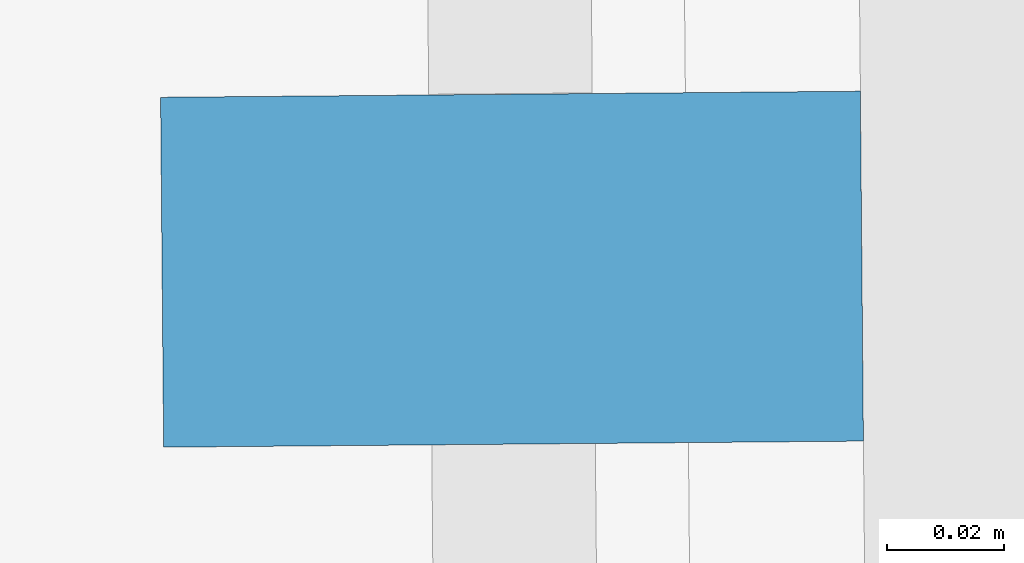
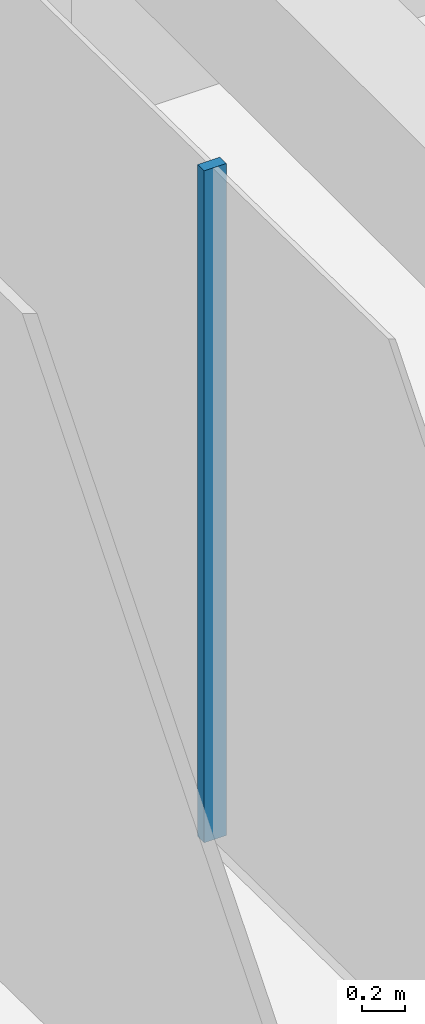
# One storey, part 8 of 18: 1 member, 1 element without a shape of its own.
"""IFC4 building model written with IfcOpenShell, lengths in metres."""

import ifcopenshell
import ifcopenshell.guid

model = None  # the IFC model being written
_history = None  # IfcOwnerHistory: only IFC2X3 demands one
_inside = {}  # id of a spatial element -> (the spatial element, [elements in it])
_under = {}  # id of a project, library or spatial element -> (it, [spatial elements below it])
_declared = {}  # id of a project -> (the project, [libraries it declares])
_typed = {}  # id of a type object -> (the type object, [elements of that type])
_made_of = {}  # id of a material, layer set ... -> (it, [elements and type objects made of it])


def new_model(schema):
    """Start an empty IFC model of exactly this schema.

    Asked for "IFC4X3", IfcOpenShell would pick the latest addendum, in which some entities
    have other attributes; the version numbers below select the first issue.
    IFC2X3 requires an IfcOwnerHistory on every rooted entity: one is made here for all.
    """
    global model, _history
    if schema == "IFC4X3":
        model = ifcopenshell.file(schema_version=(4, 3, 0, 0))
    else:
        model = ifcopenshell.file(schema=schema)
    _inside.clear()
    _under.clear()
    _declared.clear()
    _typed.clear()
    _made_of.clear()
    _history = None
    if model.schema == "IFC2X3":
        org = make("IfcOrganization", Name="unknown")
        user = make(
            "IfcPersonAndOrganization",
            ThePerson=make("IfcPerson", FamilyName="unknown"),
            TheOrganization=org,
        )
        app = make(
            "IfcApplication",
            ApplicationDeveloper=org,
            Version="unknown",
            ApplicationFullName="unknown",
            ApplicationIdentifier="unknown",
        )
        _history = make(
            "IfcOwnerHistory",
            OwningUser=user,
            OwningApplication=app,
            ChangeAction="ADDED",
            CreationDate=0,
        )
    return model


def make(cls, **values):
    """One entity of the class cls with the attributes given. An attribute that is None is left unset."""
    return model.create_entity(
        cls, **{name: value for name, value in values.items() if value is not None}
    )


def rooted(cls, **values):
    """An entity with a GlobalId (a new one), such as an element, a storey or a relation."""
    return make(cls, GlobalId=ifcopenshell.guid.new(), OwnerHistory=_history, **values)


def si_unit(unit_type, name, prefix=None):
    """IfcSIUnit, for example si_unit("LENGTHUNIT", "METRE", prefix="MILLI")."""
    return make("IfcSIUnit", UnitType=unit_type, Prefix=prefix, Name=name)


def assignment(units):
    """IfcUnitAssignment: the units of a project."""
    return None if units is None else make("IfcUnitAssignment", Units=units)


def point(xyz):
    """IfcCartesianPoint."""
    return None if xyz is None else make("IfcCartesianPoint", Coordinates=xyz)


def direction(xyz):
    """IfcDirection."""
    return None if xyz is None else make("IfcDirection", DirectionRatios=xyz)


def frame(location, z_axis=None, x_axis=None):
    """IfcAxis2Placement3D, a coordinate frame: its origin and axes. An axis left out is left unset."""
    return make(
        "IfcAxis2Placement3D",
        Location=point(location),
        Axis=direction(z_axis),
        RefDirection=direction(x_axis),
    )


def frame_2d(location, x_axis=None):
    """IfcAxis2Placement2D, a coordinate frame in the plane: its origin and x axis."""
    return make(
        "IfcAxis2Placement2D", Location=point(location), RefDirection=direction(x_axis)
    )


def origin():
    """The frame at (0, 0, 0) with its axes left unset."""
    return frame((0.0, 0.0, 0.0))


def origin_2d():
    """The frame at (0, 0) in the plane with its x axis left unset."""
    return frame_2d((0.0, 0.0))


def place(relative_to, where):
    """IfcLocalPlacement: puts the frame where relative to a parent placement (None: the world)."""
    return make(
        "IfcLocalPlacement", PlacementRelTo=relative_to, RelativePlacement=where
    )


def context(
    kind, dimensions, precision=None, world=None, true_north=None, identifier=None
):
    """IfcGeometricRepresentationContext, for example the 3D "Model" context."""
    return make(
        "IfcGeometricRepresentationContext",
        ContextIdentifier=identifier,
        ContextType=kind,
        CoordinateSpaceDimension=dimensions,
        Precision=precision,
        WorldCoordinateSystem=world,
        TrueNorth=true_north,
    )


def subcontext(parent, identifier, kind, view, scale=None):
    """IfcGeometricRepresentationSubContext, for example "Body" below "Model"."""
    return make(
        "IfcGeometricRepresentationSubContext",
        ContextIdentifier=identifier,
        ContextType=kind,
        ParentContext=parent,
        TargetScale=scale,
        TargetView=view,
    )


def project(units=None, contexts=None):
    """IfcProject with its units and contexts."""
    return rooted(
        "IfcProject",
        Name="project",
        RepresentationContexts=contexts,
        UnitsInContext=assignment(units),
    )


def spatial(cls, under=None, at=None, **own):
    """A site, building, storey or space (cls), placed at a placement, below another one or the project."""
    s = rooted(cls, ObjectPlacement=at, **own)
    if under is not None:
        _under.setdefault(under.id(), (under, []))[1].append(s)
    return s


def profile(cls, at=None, kind="AREA", **sizes):
    """A parametric profile (cls). Its sizes go by their IFC names, for example OverallWidth=200.0."""
    return make(cls, ProfileType=kind, Position=at, **sizes)


def rectangle(**sizes):
    """IfcRectangleProfileDef."""
    return profile("IfcRectangleProfileDef", **sizes)


def extrude(swept, where, along, depth):
    """IfcExtrudedAreaSolid: the profile swept, set in the frame where, extruded along a direction by depth."""
    return make(
        "IfcExtrudedAreaSolid",
        SweptArea=swept,
        Position=where,
        ExtrudedDirection=direction(along),
        Depth=depth,
    )


def shape(context_of_items, identifier, shape_type, items):
    """IfcShapeRepresentation: the items that make up one representation, for example the "Body"."""
    return make(
        "IfcShapeRepresentation",
        ContextOfItems=context_of_items,
        RepresentationIdentifier=identifier,
        RepresentationType=shape_type,
        Items=items,
    )


def material(Name=None, Category=None):
    """IfcMaterial."""
    return make("IfcMaterial", Name=Name, Category=Category)


def layer(
    of_material, thickness, ventilated=None, Name=None, Category=None, Priority=None
):
    """IfcMaterialLayer: one layer of a wall or slab, of a material (None: an air gap)."""
    return make(
        "IfcMaterialLayer",
        Material=of_material,
        LayerThickness=thickness,
        IsVentilated=ventilated,
        Name=Name,
        Category=Category,
        Priority=Priority,
    )


def layer_set(layers, Name=None):
    """IfcMaterialLayerSet."""
    return make("IfcMaterialLayerSet", MaterialLayers=layers, LayerSetName=Name)


def material_profile(
    of_material, cross_section, Name=None, Category=None, Priority=None
):
    """IfcMaterialProfile: a cross section and its material."""
    return make(
        "IfcMaterialProfile",
        Name=Name,
        Material=of_material,
        Profile=cross_section,
        Priority=Priority,
        Category=Category,
    )


def profile_set(profiles, Name=None, composite=None):
    """IfcMaterialProfileSet."""
    return make(
        "IfcMaterialProfileSet",
        Name=Name,
        MaterialProfiles=profiles,
        CompositeProfile=composite,
    )


def made_of(thing, what):
    """Note that an element or type object is made of a material, layer set ...; save() writes the relation."""
    if what is not None:
        _made_of.setdefault(what.id(), (what, []))[1].append(thing)
    return thing


def type_object(cls, material=None, **own):
    """A type object (cls), such as IfcWallType, which elements share."""
    return made_of(rooted(cls, **own), material)


def element(
    cls,
    number,
    at=None,
    inside=None,
    cuts=None,
    type_object=None,
    material=None,
    context=None,
    identifier="Body",
    shape_type=None,
    held_by="IfcProductDefinitionShape",
    body=None,
    shapes=None,
    **own,
):
    """One element of the class cls, such as IfcWall. Its Tag is "e" and its number.

    at: its placement. inside: the storey or other place that contains it. cuts: it is an
    opening in that element (IfcRelVoidsElement). A single representation is given by context,
    identifier, shape_type and body (its items); several are given by shapes. held_by: the class
    of the entity that holds the representations. save() writes the other relations.
    """
    e = rooted(cls, Tag="e%d" % number, ObjectPlacement=at, **own)
    if body is not None:
        shapes = [shape(context, identifier, shape_type, body)]
    if shapes is not None:
        e.Representation = make(held_by, Representations=shapes)
    if inside is not None:
        _inside.setdefault(inside.id(), (inside, []))[1].append(e)
    if cuts is not None:
        rooted(
            "IfcRelVoidsElement", RelatingBuildingElement=cuts, RelatedOpeningElement=e
        )
    if type_object is not None:
        _typed.setdefault(type_object.id(), (type_object, []))[1].append(e)
    return made_of(e, material)


def aggregate(whole, parts):
    """IfcRelAggregates: a whole, such as a stair, and the parts it consists of."""
    return rooted("IfcRelAggregates", RelatingObject=whole, RelatedObjects=parts)


def save(model, path):
    """Write the relations noted so far, then the file.

    IfcRelAggregates (storeys below a building ...), IfcRelContainedInSpatialStructure (elements
    in a storey), IfcRelDefinesByType, IfcRelAssociatesMaterial and IfcRelDeclares: one each for
    every whole, place, type object, material and project.
    """
    for whole, parts in _under.values():
        aggregate(whole, parts)
    for where, things in _inside.values():
        rooted(
            "IfcRelContainedInSpatialStructure",
            RelatedElements=things,
            RelatingStructure=where,
        )
    for kind, things in _typed.values():
        rooted("IfcRelDefinesByType", RelatedObjects=things, RelatingType=kind)
    for what, things in _made_of.values():
        rooted("IfcRelAssociatesMaterial", RelatedObjects=things, RelatingMaterial=what)
    for by, libraries in _declared.values():
        rooted("IfcRelDeclares", RelatingContext=by, RelatedDefinitions=libraries)
    model.write(path)


model = new_model("IFC4")

# Units and contexts
model_context = context("Model", 3, precision=1e-05, world=origin(), true_north=direction((0.0, 1.0)))
body_context = subcontext(model_context, "Body", "Model", "MODEL_VIEW")
ifc_project = project(units=[si_unit("LENGTHUNIT", "METRE"), si_unit("AREAUNIT", "SQUARE_METRE"), si_unit("VOLUMEUNIT", "CUBIC_METRE"), si_unit("PLANEANGLEUNIT", "RADIAN"), si_unit("MASSUNIT", "GRAM", prefix="KILO")], contexts=[model_context])

# Site, building, storey
site_placement = place(None, origin())
site = spatial("IfcSite", under=ifc_project, at=site_placement, CompositionType="ELEMENT")
building_placement = place(site_placement, origin())
building = spatial("IfcBuilding", under=site, at=building_placement, Name="Welwitschia Terrace Campus", CompositionType="ELEMENT")
storey_placement = place(building_placement, frame((0.0, 0.0, 289.39990234375)))
storey = spatial("IfcBuildingStorey", under=building, at=storey_placement, Name="L64", CompositionType="ELEMENT", Elevation=289.39990234375)

# Curtain wall, member
ifc_material_1 = material(Name="Bronze anodised aluminium", Category="aluminium")
ifc_layer = layer(ifc_material_1, 0.1201171875)
ifc_layer_set = layer_set([ifc_layer], Name="Bronze anodised aluminium")
curtain_wall_type = type_object("IfcCurtainWallType", Name="Curtain wall CW2 tower 6000", PredefinedType="NOTDEFINED", material=ifc_layer_set)
curtain_wall_placement = place(storey_placement, origin())
curtain_wall = element("IfcCurtainWall", 1, at=curtain_wall_placement, inside=storey, type_object=curtain_wall_type, Name="CW L64.0.0", PredefinedType="NOTDEFINED")
ifc_material_2 = material(Name="Bronze anodised aluminium", Category="aluminium")
ifc_material_profile = material_profile(ifc_material_2, rectangle(XDim=0.1201171875, YDim=0.06005859375, at=origin_2d()))
ifc_profile_set = profile_set([ifc_material_profile], Name="Bronze anodised aluminium")
member_type = type_object("IfcMemberType", Name="Mullion 60x120", PredefinedType="MULLION", material=ifc_profile_set)
member_placement = place(storey_placement, frame((-1.180908203125, 45.610107421875, 0.0), z_axis=(0.0, 0.0, 1.0), x_axis=(0.999961923064, 0.008726535498, 0.0)))
member = element("IfcMember", 2, at=member_placement, type_object=member_type, Name="Mullion L64.0.0.3", PredefinedType="MULLION", context=body_context, shape_type="SweptSolid", body=[
    extrude(rectangle(XDim=0.1201171875, YDim=0.06005859375, at=origin_2d()), origin(), (0.0, 0.0, 1.0), 3.85009765625),
])
aggregate(curtain_wall, [member])

save(model, "model.ifc")
